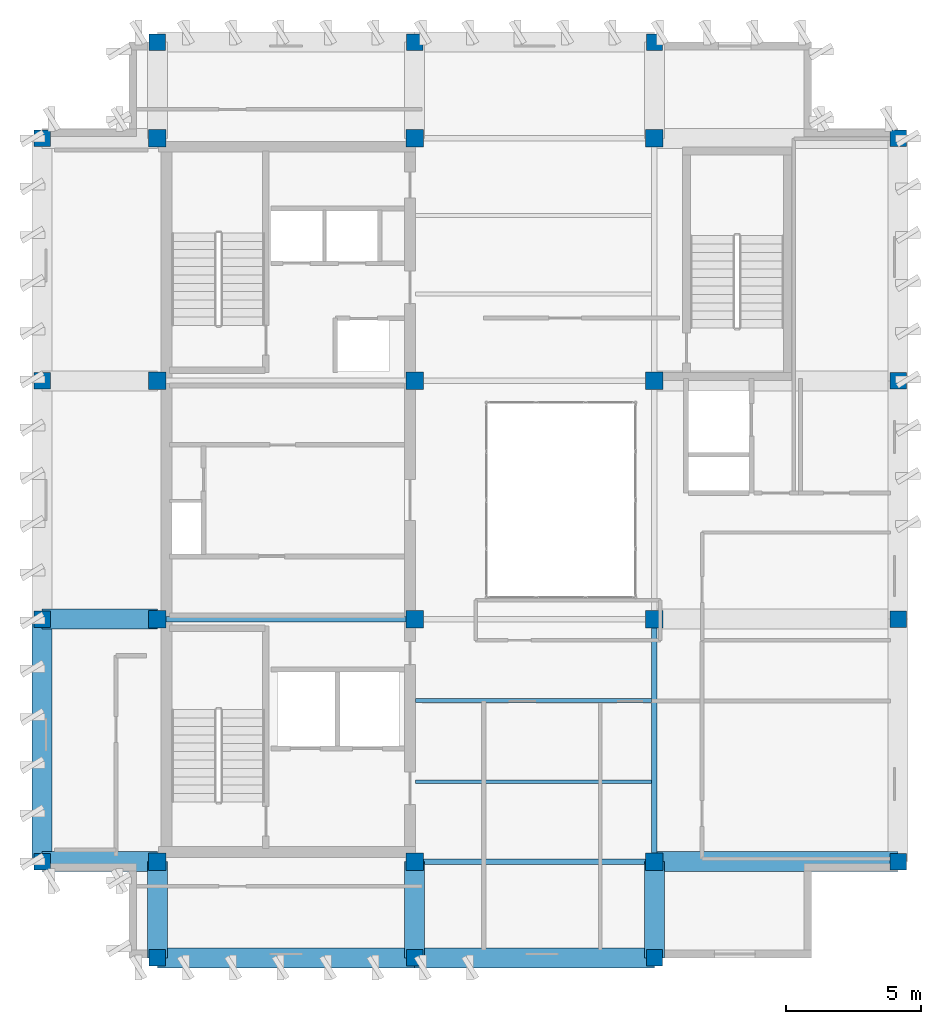
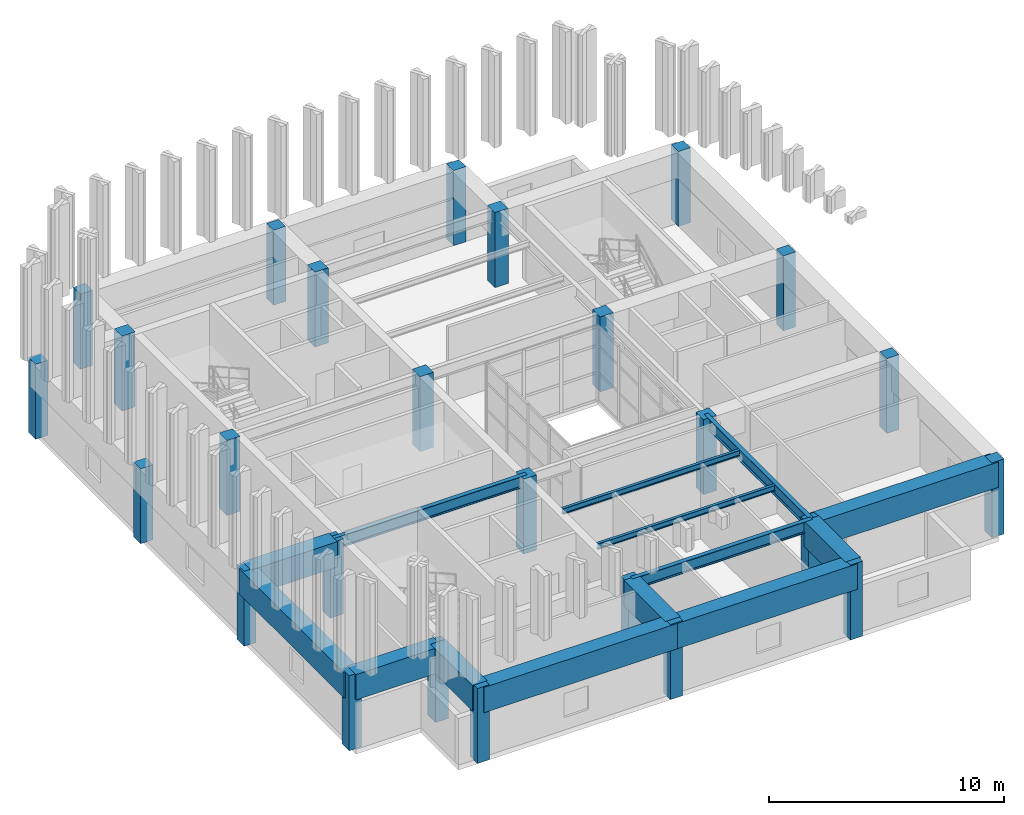
# One storey, part 1 of 11: 26 columns, 14 beams.
"""IFC4 building model written with IfcOpenShell, lengths in metres."""

from ifc_helpers import new_model, si_unit, direction, frame, origin, origin_2d, place, context, subcontext, project, spatial, rectangle, i_section, extrude, material, material_profile, profile_set, type_object, element, save


model = new_model("IFC4")

# Units and contexts
model_context = context("Model", 3, precision=1e-05, world=origin(), true_north=direction((0.0, 1.0)))
body_context = subcontext(model_context, "Body", "Model", "MODEL_VIEW")
ifc_project = project(units=[si_unit("LENGTHUNIT", "METRE"), si_unit("AREAUNIT", "SQUARE_METRE"), si_unit("VOLUMEUNIT", "CUBIC_METRE"), si_unit("PLANEANGLEUNIT", "RADIAN"), si_unit("MASSUNIT", "GRAM", prefix="KILO")], contexts=[model_context])

# Site, building, storey
site_placement = place(None, origin())
site = spatial("IfcSite", under=ifc_project, at=site_placement, CompositionType="ELEMENT")
building_placement = place(site_placement, origin())
building = spatial("IfcBuilding", under=site, at=building_placement, Name="Kundavana Baori Tower", CompositionType="ELEMENT")
storey_placement = place(building_placement, frame((0.0, 0.0, 350.5)))
storey = spatial("IfcBuildingStorey", under=building, at=storey_placement, Name="L87", CompositionType="ELEMENT", Elevation=350.5)

# Columns
ifc_material_1 = material(Name="Concrete C50/60", Category="concrete")
ifc_material_profile_1 = material_profile(ifc_material_1, rectangle(XDim=0.60009765625, YDim=0.60009765625, at=origin_2d()), Name="RC PF 600x600")
ifc_profile_set_1 = profile_set([ifc_material_profile_1], Name="Concrete C50/60")
column_type_1 = type_object("IfcColumnType", Name="COL-PF-600", PredefinedType="COLUMN", material=ifc_profile_set_1)
for number, where, z_axis, x_axis, name in (
    (1, (15.449951171875, 11.699951171875, 0.0), (0.0, 0.0, 1.0), (1.0, 0.0, 0.0), "L87 Stone-Clad Perimeter Frame Column PF-S1"),
    (2, (15.449951171875, 45.5, 0.0), (0.0, 0.0, 1.0), (1.0, 0.0, 0.0), "L87 Stone-Clad Perimeter Frame Column PF-N1"),
    (3, (24.949951171875, 11.699951171875, 0.0), (0.0, 0.0, 1.0), (1.0, 0.0, 0.0), "L87 Stone-Clad Perimeter Frame Column PF-S2"),
    (4, (24.949951171875, 45.5, 0.0), (0.0, 0.0, 1.0), (1.0, 0.0, 0.0), "L87 Stone-Clad Perimeter Frame Column PF-N2"),
    (5, (33.800048828125, 11.699951171875, 0.0), (0.0, 0.0, 1.0), (1.0, 0.0, 0.0), "L87 Stone-Clad Perimeter Frame Column PF-S3"),
    (6, (33.800048828125, 45.5, 0.0), (0.0, 0.0, 1.0), (1.0, 0.0, 0.0), "L87 Stone-Clad Perimeter Frame Column PF-N3"),
    (7, (11.199951171875, 15.25, 0.0), (0.0, 0.0, 1.0), (1.0, 0.0, 0.0), "L87 Stone-Clad Perimeter Frame Column PF-W1"),
    (8, (42.800048828125, 15.25, 0.0), (0.0, 0.0, 1.0), (1.0, 0.0, 0.0), "L87 Stone-Clad Perimeter Frame Column PF-E1"),
    (9, (11.199951171875, 24.199951171875, 0.0), (0.0, 0.0, 1.0), (1.0, 0.0, 0.0), "L87 Stone-Clad Perimeter Frame Column PF-W2"),
    (10, (42.800048828125, 24.199951171875, 0.0), (0.0, 0.0, 1.0), (1.0, 0.0, 0.0), "L87 Stone-Clad Perimeter Frame Column PF-E2"),
    (11, (11.199951171875, 33.0, 0.0), (0.0, 0.0, 1.0), (1.0, 0.0, 0.0), "L87 Stone-Clad Perimeter Frame Column PF-W3"),
    (12, (42.800048828125, 33.0, 0.0), (0.0, 0.0, 1.0), (1.0, 0.0, 0.0), "L87 Stone-Clad Perimeter Frame Column PF-E3"),
    (13, (11.199951171875, 41.949951171875, 0.0), (0.0, 0.0, 1.0), (1.0, 0.0, 0.0), "L87 Stone-Clad Perimeter Frame Column PF-W4"),
    (14, (42.800048828125, 41.949951171875, 0.0), (0.0, 0.0, 1.0), (1.0, 0.0, 0.0), "L87 Stone-Clad Perimeter Frame Column PF-E4"),
):
    element("IfcColumn", number, at=place(storey_placement, frame(where, z_axis=z_axis, x_axis=x_axis)), inside=storey, type_object=column_type_1, Name=name, PredefinedType="COLUMN", context=body_context, shape_type="SweptSolid", body=[
        extrude(rectangle(XDim=0.60009765625, YDim=0.60009765625, at=origin_2d()), origin(), (0.0, 0.0, 1.0), 3.89990234375),
    ])
ifc_material_2 = material(Name="Concrete C50/60", Category="concrete")
ifc_material_profile_2 = material_profile(ifc_material_2, rectangle(XDim=0.64990234375, YDim=0.64990234375, at=origin_2d()), Name="RC 650x650")
ifc_profile_set_2 = profile_set([ifc_material_profile_2], Name="Concrete C50/60")
column_type_2 = type_object("IfcColumnType", Name="COL-RC-650", PredefinedType="COLUMN", material=ifc_profile_set_2)
for number, where, z_axis, x_axis, name in (
    (15, (15.449951171875, 15.25, 0.0), (0.0, 0.0, 1.0), (1.0, 0.0, 0.0), "L87 Interior Column IC-3C"),
    (16, (15.449951171875, 24.199951171875, 0.0), (0.0, 0.0, 1.0), (1.0, 0.0, 0.0), "L87 Interior Column IC-3D"),
    (17, (15.449951171875, 33.0, 0.0), (0.0, 0.0, 1.0), (1.0, 0.0, 0.0), "L87 Interior Column IC-3E"),
    (18, (15.449951171875, 41.949951171875, 0.0), (0.0, 0.0, 1.0), (1.0, 0.0, 0.0), "L87 Interior Column IC-3F"),
    (19, (24.949951171875, 15.25, 0.0), (0.0, 0.0, 1.0), (1.0, 0.0, 0.0), "L87 Interior Column IC-4C"),
    (20, (24.949951171875, 24.199951171875, 0.0), (0.0, 0.0, 1.0), (1.0, 0.0, 0.0), "L87 Interior Column IC-4D"),
    (21, (24.949951171875, 33.0, 0.0), (0.0, 0.0, 1.0), (1.0, 0.0, 0.0), "L87 Interior Column IC-4E"),
    (22, (24.949951171875, 41.949951171875, 0.0), (0.0, 0.0, 1.0), (1.0, 0.0, 0.0), "L87 Interior Column IC-4F"),
    (23, (33.800048828125, 15.25, 0.0), (0.0, 0.0, 1.0), (1.0, 0.0, 0.0), "L87 Interior Column IC-5C"),
    (24, (33.800048828125, 24.199951171875, 0.0), (0.0, 0.0, 1.0), (1.0, 0.0, 0.0), "L87 Interior Column IC-5D"),
    (25, (33.800048828125, 33.0, 0.0), (0.0, 0.0, 1.0), (1.0, 0.0, 0.0), "L87 Interior Column IC-5E"),
    (26, (33.800048828125, 41.949951171875, 0.0), (0.0, 0.0, 1.0), (1.0, 0.0, 0.0), "L87 Interior Column IC-5F"),
):
    element("IfcColumn", number, at=place(storey_placement, frame(where, z_axis=z_axis, x_axis=x_axis)), inside=storey, type_object=column_type_2, Name=name, PredefinedType="COLUMN", context=body_context, shape_type="SweptSolid", body=[
        extrude(rectangle(XDim=0.64990234375, YDim=0.64990234375, at=origin_2d()), origin(), (0.0, 0.0, 1.0), 3.89990234375),
    ])

# Beams
ifc_material_3 = material(Name="Structural Steel S355JR", Category="steel")
ifc_material_profile_3 = material_profile(ifc_material_3, i_section(OverallWidth=0.139892578125, OverallDepth=0.300048828125, WebThickness=0.0078125, FlangeThickness=0.01318359375, FilletRadius=0.013916015625, at=origin_2d()), Name="ISMB 300")
ifc_profile_set_3 = profile_set([ifc_material_profile_3], Name="Structural Steel S355JR")
beam_type_1 = type_object("IfcBeamType", Name="BM-RF-300", PredefinedType="BEAM", material=ifc_profile_set_3)
for number, where, z_axis, x_axis, name in (
    (27, (24.97998046875, 18.199951171875, 3.75), (1.0, 0.0, 0.0), (0.0, 1.0, 0.0), "L87 Central Bay Composite Floor Joist C1"),
    (28, (24.97998046875, 21.199951171875, 3.75), (1.0, 0.0, 0.0), (0.0, 1.0, 0.0), "L87 Central Bay Composite Floor Joist C2"),
):
    element("IfcBeam", number, at=place(storey_placement, frame(where, z_axis=z_axis, x_axis=x_axis)), inside=storey, type_object=beam_type_1, Name=name, PredefinedType="BEAM", context=body_context, shape_type="SweptSolid", body=[
        extrude(i_section(OverallWidth=0.139892578125, OverallDepth=0.300048828125, WebThickness=0.0078125, FlangeThickness=0.01318359375, FilletRadius=0.013916015625, at=origin_2d()), origin(), (0.0, 0.0, 1.0), 8.715087890625),
    ])
ifc_material_4 = material(Name="Structural Steel S355JR", Category="steel")
ifc_material_profile_4 = material_profile(ifc_material_4, i_section(OverallWidth=0.2099609375, OverallDepth=0.60009765625, WebThickness=0.011962890625, FlangeThickness=0.020751953125, FilletRadius=0.02001953125, at=origin_2d()), Name="ISMB 600")
ifc_profile_set_4 = profile_set([ifc_material_profile_4], Name="Structural Steel S355JR")
beam_type_2 = type_object("IfcBeamType", Name="BM-ST-600", PredefinedType="BEAM", material=ifc_profile_set_4)
beam_1_placement = place(storey_placement, frame((24.949951171875, 15.25, 3.60009765625), z_axis=(1.0, 0.0, 0.0), x_axis=(0.0, 1.0, 0.0)))
element("IfcBeam", 29, at=beam_1_placement, inside=storey, type_object=beam_type_2, Name="L87 Primary Grid Girder GX-1-2", PredefinedType="BEAM", context=body_context, shape_type="SweptSolid", body=[
    extrude(i_section(OverallWidth=0.2099609375, OverallDepth=0.60009765625, WebThickness=0.011962890625, FlangeThickness=0.020751953125, FilletRadius=0.02001953125, at=origin_2d()), origin(), (0.0, 0.0, 1.0), 8.85009765625),
])
beam_2_placement = place(storey_placement, frame((15.449951171875, 24.199951171875, 3.60009765625), z_axis=(1.0, 0.0, 0.0), x_axis=(0.0, 1.0, 0.0)))
element("IfcBeam", 30, at=beam_2_placement, inside=storey, type_object=beam_type_2, Name="L87 Primary Grid Girder GX-2-1", PredefinedType="BEAM", context=body_context, shape_type="SweptSolid", body=[
    extrude(i_section(OverallWidth=0.2099609375, OverallDepth=0.60009765625, WebThickness=0.011962890625, FlangeThickness=0.020751953125, FilletRadius=0.02001953125, at=origin_2d()), origin(), (0.0, 0.0, 1.0), 9.5),
])
beam_3_placement = place(storey_placement, frame((33.800048828125, 15.25, 3.60009765625), z_axis=(0.0, 1.0, 0.0), x_axis=(-1.0, 0.0, 0.0)))
element("IfcBeam", 31, at=beam_3_placement, inside=storey, type_object=beam_type_2, Name="L87 Primary Grid Girder GY-3-1", PredefinedType="BEAM", context=body_context, shape_type="SweptSolid", body=[
    extrude(i_section(OverallWidth=0.2099609375, OverallDepth=0.60009765625, WebThickness=0.011962890625, FlangeThickness=0.020751953125, FilletRadius=0.02001953125, at=origin_2d()), origin(), (0.0, 0.0, 1.0), 8.949951171875),
])
ifc_material_5 = material(Name="Concrete C50/60", Category="concrete")
ifc_material_profile_5 = material_profile(ifc_material_5, rectangle(XDim=0.739990234375, YDim=1.320068359375, at=origin_2d()), Name="BM-TG-5")
ifc_profile_set_5 = profile_set([ifc_material_profile_5], Name="Concrete C50/60")
beam_type_3 = type_object("IfcBeamType", Name="BM-TG-5", PredefinedType="USERDEFINED", material=ifc_profile_set_5)
beam_4_placement = place(storey_placement, frame((15.449951171875, 11.699951171875, 3.239990234375), z_axis=(1.0, 0.0, 0.0), x_axis=(0.0, 1.0, 0.0)))
element("IfcBeam", 32, at=beam_4_placement, inside=storey, type_object=beam_type_3, Name="L87 Perimeter Frame Ring Beam S1", ObjectType="TRANSFER GIRDER", PredefinedType="USERDEFINED", context=body_context, shape_type="SweptSolid", body=[
    extrude(rectangle(XDim=0.739990234375, YDim=1.320068359375, at=origin_2d()), origin(), (0.0, 0.0, 1.0), 9.5),
])
beam_5_placement = place(storey_placement, frame((24.949951171875, 11.699951171875, 3.239990234375), z_axis=(1.0, 0.0, 0.0), x_axis=(0.0, 1.0, 0.0)))
element("IfcBeam", 33, at=beam_5_placement, inside=storey, type_object=beam_type_3, Name="L87 Perimeter Frame Ring Beam S2", ObjectType="TRANSFER GIRDER", PredefinedType="USERDEFINED", context=body_context, shape_type="SweptSolid", body=[
    extrude(rectangle(XDim=0.739990234375, YDim=1.320068359375, at=origin_2d()), origin(), (0.0, 0.0, 1.0), 8.85009765625),
])
beam_6_placement = place(storey_placement, frame((11.199951171875, 15.25, 3.239990234375), z_axis=(0.0, 1.0, 0.0), x_axis=(-1.0, 0.0, 0.0)))
element("IfcBeam", 34, at=beam_6_placement, inside=storey, type_object=beam_type_3, Name="L87 Perimeter Frame Ring Beam W1", ObjectType="TRANSFER GIRDER", PredefinedType="USERDEFINED", context=body_context, shape_type="SweptSolid", body=[
    extrude(rectangle(XDim=0.739990234375, YDim=1.320068359375, at=origin_2d()), origin(), (0.0, 0.0, 1.0), 8.949951171875),
])
for number, where, z_axis, x_axis, name in (
    (35, (15.449951171875, 15.25, 3.239990234375), (0.0, -1.0, 0.0), (1.0, 0.0, 0.0), "L87 South Radial Transfer Girder S1"),
    (36, (24.949951171875, 15.25, 3.239990234375), (0.0, -1.0, 0.0), (1.0, 0.0, 0.0), "L87 South Radial Transfer Girder S2"),
    (37, (33.800048828125, 15.25, 3.239990234375), (0.0, -1.0, 0.0), (1.0, 0.0, 0.0), "L87 South Radial Transfer Girder S3"),
):
    element("IfcBeam", number, at=place(storey_placement, frame(where, z_axis=z_axis, x_axis=x_axis)), inside=storey, type_object=beam_type_3, Name=name, ObjectType="TRANSFER GIRDER", PredefinedType="USERDEFINED", context=body_context, shape_type="SweptSolid", body=[
        extrude(rectangle(XDim=0.739990234375, YDim=1.320068359375, at=origin_2d()), origin(), (0.0, 0.0, 1.0), 3.550048828125),
    ])
beam_7_placement = place(storey_placement, frame((15.449951171875, 15.25, 3.239990234375), z_axis=(-1.0, 0.0, 0.0), x_axis=(0.0, -1.0, 0.0)))
element("IfcBeam", 38, at=beam_7_placement, inside=storey, type_object=beam_type_3, Name="L87 West Radial Transfer Girder W1", ObjectType="TRANSFER GIRDER", PredefinedType="USERDEFINED", context=body_context, shape_type="SweptSolid", body=[
    extrude(rectangle(XDim=0.739990234375, YDim=1.320068359375, at=origin_2d()), origin(), (0.0, 0.0, 1.0), 4.25),
])
beam_8_placement = place(storey_placement, frame((33.800048828125, 15.25, 3.239990234375), z_axis=(1.0, 0.0, 0.0), x_axis=(0.0, 1.0, 0.0)))
element("IfcBeam", 39, at=beam_8_placement, inside=storey, type_object=beam_type_3, Name="L87 East Radial Transfer Girder E1", ObjectType="TRANSFER GIRDER", PredefinedType="USERDEFINED", context=body_context, shape_type="SweptSolid", body=[
    extrude(rectangle(XDim=0.739990234375, YDim=1.320068359375, at=origin_2d()), origin(), (0.0, 0.0, 1.0), 9.0),
])
beam_9_placement = place(storey_placement, frame((15.449951171875, 24.199951171875, 3.239990234375), z_axis=(-1.0, 0.0, 0.0), x_axis=(0.0, -1.0, 0.0)))
element("IfcBeam", 40, at=beam_9_placement, inside=storey, type_object=beam_type_3, Name="L87 West Radial Transfer Girder W2", ObjectType="TRANSFER GIRDER", PredefinedType="USERDEFINED", context=body_context, shape_type="SweptSolid", body=[
    extrude(rectangle(XDim=0.739990234375, YDim=1.320068359375, at=origin_2d()), origin(), (0.0, 0.0, 1.0), 4.25),
])

save(model, "model.ifc")
